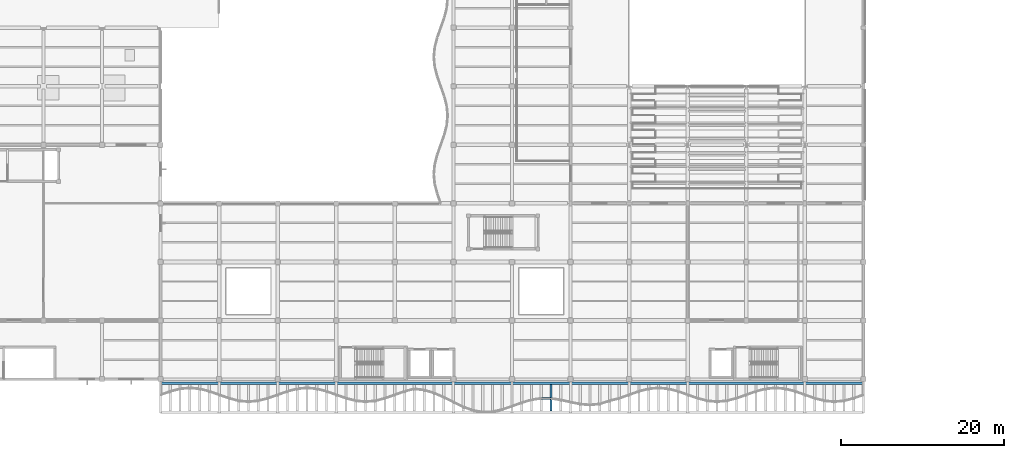
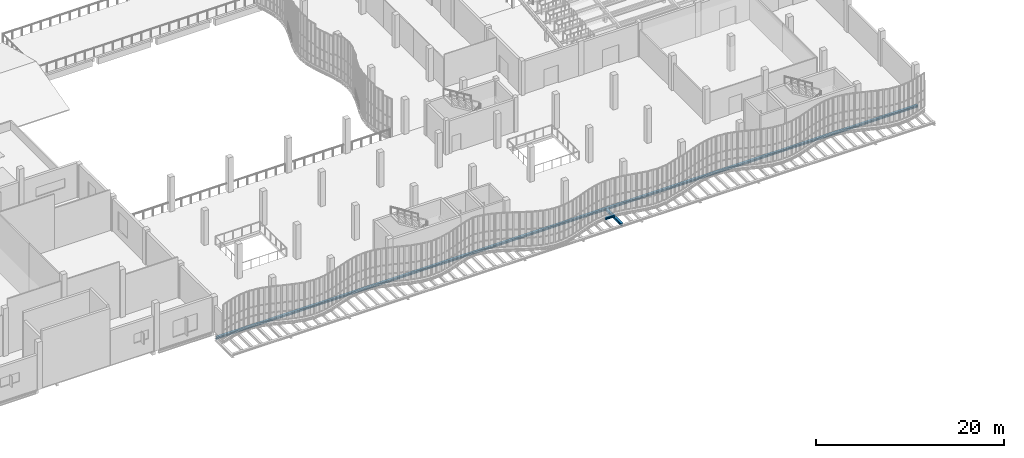
# One storey, part 26 of 105: 3 beams.
"""IFC4 building model written with IfcOpenShell, lengths in metres."""

from ifc_helpers import new_model, si_unit, direction, frame, origin, origin_2d, place, context, subcontext, project, spatial, i_section, extrude, material, material_profile, profile_set, type_object, element, save


model = new_model("IFC4")

# Units and contexts
model_context = context("Model", 3, precision=1e-05, world=origin(), true_north=direction((0.0, 1.0)))
body_context = subcontext(model_context, "Body", "Model", "MODEL_VIEW")
ifc_project = project(units=[si_unit("LENGTHUNIT", "METRE"), si_unit("AREAUNIT", "SQUARE_METRE"), si_unit("VOLUMEUNIT", "CUBIC_METRE"), si_unit("PLANEANGLEUNIT", "RADIAN"), si_unit("MASSUNIT", "GRAM", prefix="KILO"), si_unit("THERMODYNAMICTEMPERATUREUNIT", "KELVIN"), si_unit("POWERUNIT", "WATT")], contexts=[model_context])

# Site, building, storey
site_placement = place(None, origin())
site = spatial("IfcSite", under=ifc_project, at=site_placement, CompositionType="ELEMENT")
building_placement = place(site_placement, origin())
building = spatial("IfcBuilding", under=site, at=building_placement, Name="Kaldorven Railside Theatre", CompositionType="ELEMENT")
storey_placement = place(building_placement, frame((0.0, 0.0, 9.89990234375)))
storey = spatial("IfcBuildingStorey", under=building, at=storey_placement, Name="L02", CompositionType="ELEMENT", Elevation=9.89990234375)

# Beams
ifc_material = material(Name="Steel S355", Category="steel")
ifc_material_profile = material_profile(ifc_material, i_section(OverallWidth=0.280029296875, OverallDepth=0.280029296875, WebThickness=0.010498046875, FlangeThickness=0.01806640625, at=origin_2d()), Name="HEB 280")
ifc_profile_set = profile_set([ifc_material_profile], Name="Steel S355")
beam_type = type_object("IfcBeamType", Name="BM-HEB280", PredefinedType="SPANDREL", material=ifc_profile_set)
beam_1_placement = place(storey_placement, frame((36.800048828125, 18.699951171875, -0.699951171875), z_axis=(1.0, 0.0, 0.0), x_axis=(0.0, 1.0, 0.0)))
element("IfcBeam", 1, at=beam_1_placement, inside=storey, type_object=beam_type, Name="L02 Sinusoidal In Collector Girder FOB-T026", PredefinedType="SPANDREL", context=body_context, shape_type="SweptSolid", body=[
    extrude(i_section(OverallWidth=0.280029296875, OverallDepth=0.280029296875, WebThickness=0.010498046875, FlangeThickness=0.01806640625, at=origin_2d()), origin(), (0.0, 0.0, 1.0), 86.39990234375),
])
beam_2_placement = place(storey_placement, frame((83.614990234375, 16.821044921875, -0.419921875), z_axis=(0.999902271255, -0.013980269652, 0.0), x_axis=(0.013980269652, 0.999902271255, 0.0)))
element("IfcBeam", 2, at=beam_2_placement, inside=storey, type_object=beam_type, Name="L02 Sinusoidal Flute Edge Spandrel FSB-112", PredefinedType="SPANDREL", context=body_context, shape_type="SweptSolid", body=[
    extrude(i_section(OverallWidth=0.280029296875, OverallDepth=0.280029296875, WebThickness=0.010498046875, FlangeThickness=0.01806640625, at=origin_2d()), origin(), (0.0, 0.0, 1.0), 1.169921875),
])
beam_3_placement = place(storey_placement, frame((84.800048828125, 15.260009765625, -0.699951171875), z_axis=(0.0, 1.0, 0.0), x_axis=(-1.0, 0.0, 0.0)))
element("IfcBeam", 3, at=beam_3_placement, inside=storey, type_object=beam_type, Name="L02 Sinusoidal Diaphragm Rib Outrigger FOB-M113", PredefinedType="SPANDREL", context=body_context, shape_type="SweptSolid", body=[
    extrude(i_section(OverallWidth=0.280029296875, OverallDepth=0.280029296875, WebThickness=0.010498046875, FlangeThickness=0.01806640625, at=origin_2d()), origin(), (0.0, 0.0, 1.0), 3.280029296875),
])

save(model, "model.ifc")
